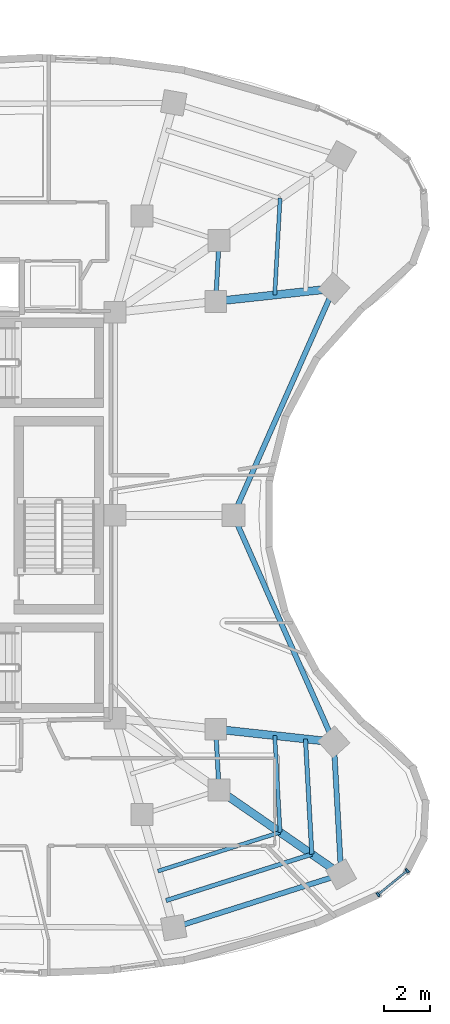
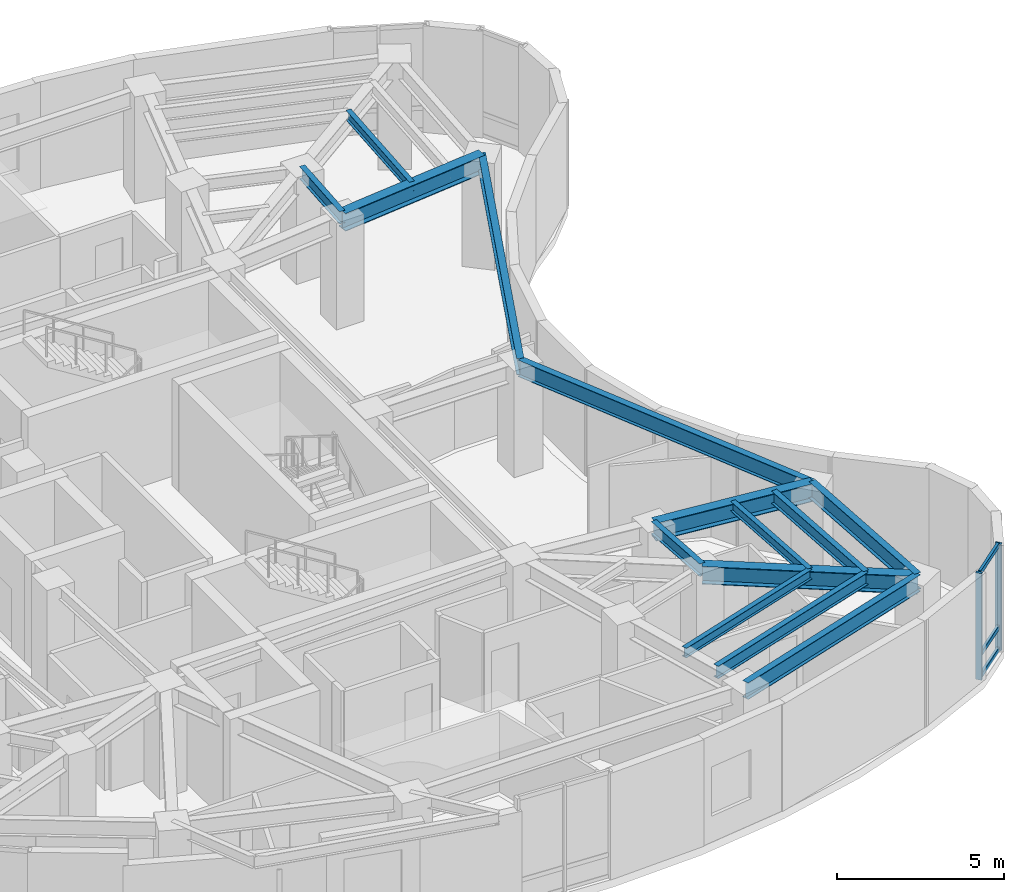
# One storey, part 4 of 13: 14 beams, 5 members, 1 element without a shape of its own.
"""IFC4 building model written with IfcOpenShell, lengths in metres."""

from ifc_helpers import new_model, si_unit, direction, frame, origin, origin_2d, place, context, subcontext, project, spatial, rectangle, i_section, extrude, material, layer, layer_set, material_profile, profile_set, type_object, element, aggregate, save


model = new_model("IFC4")

# Units and contexts
model_context = context("Model", 3, precision=1e-05, world=origin(), true_north=direction((0.0, 1.0)))
body_context = subcontext(model_context, "Body", "Model", "MODEL_VIEW")
ifc_project = project(units=[si_unit("LENGTHUNIT", "METRE"), si_unit("AREAUNIT", "SQUARE_METRE"), si_unit("VOLUMEUNIT", "CUBIC_METRE"), si_unit("PLANEANGLEUNIT", "RADIAN"), si_unit("MASSUNIT", "GRAM", prefix="KILO")], contexts=[model_context])

# Site, building, storey
site_placement = place(None, origin())
site = spatial("IfcSite", under=ifc_project, at=site_placement, CompositionType="ELEMENT")
building_placement = place(site_placement, origin())
building = spatial("IfcBuilding", under=site, at=building_placement, Name="Korentha Bioscience Tower", CompositionType="ELEMENT")
storey_placement = place(building_placement, frame((0.0, 0.0, 204.60009765625)))
storey = spatial("IfcBuildingStorey", under=building, at=storey_placement, Name="L47", CompositionType="ELEMENT", Elevation=204.60009765625)

# Beams
ifc_material_1 = material(Name="Steel S355", Category="steel")
ifc_material_profile_1 = material_profile(ifc_material_1, i_section(OverallWidth=0.18994140625, OverallDepth=0.45703125, WebThickness=0.009033203125, FlangeThickness=0.014404296875, at=origin_2d()), Name="Steel S355")
ifc_profile_set_1 = profile_set([ifc_material_profile_1], Name="Steel S355 (MB-460)")
beam_type_1 = type_object("IfcBeamType", Name="Mid-Ring Tie Girder W460x74", PredefinedType="BEAM", material=ifc_profile_set_1)
for number, where, z_axis, x_axis, name in (
    (1, (42.084228515625, 15.014404296875, 3.67138671875), (-0.055124579287, 0.998479484395, 0.0), (-0.998479484395, -0.055124579287, 0.0), "L47 Mid-Ring Tie Girder 13"),
    (2, (41.9375, 36.327880859375, 3.67138671875), (0.055124579287, 0.998479484395, 0.0), (-0.998479484395, 0.055124579287, 0.0), "L47 Mid-Ring Tie Girder 16"),
):
    element("IfcBeam", number, at=place(storey_placement, frame(where, z_axis=z_axis, x_axis=x_axis)), inside=storey, type_object=beam_type_1, Name=name, PredefinedType="BEAM", context=body_context, shape_type="SweptSolid", body=[
        extrude(i_section(OverallWidth=0.18994140625, OverallDepth=0.45703125, WebThickness=0.009033203125, FlangeThickness=0.014404296875, at=origin_2d()), origin(), (0.0, 0.0, 1.0), 2.661865234375),
    ])

# Curtain wall, members
ifc_material_2 = material(Name="Thermally Broken Aluminium Frame", Category="aluminium")
ifc_layer = layer(ifc_material_2, 0.219970703125, Name="Thermally Broken Aluminium Frame")
ifc_layer_set = layer_set([ifc_layer], Name="Thermally Broken Aluminium Frame (CW-T1)")
curtain_wall_type = type_object("IfcCurtainWallType", Name="Standard Bioscience Lab Unitised Curtain Wall CW-T1", PredefinedType="USERDEFINED", material=ifc_layer_set)
curtain_wall_placement = place(storey_placement, origin())
curtain_wall = element("IfcCurtainWall", 3, at=curtain_wall_placement, inside=storey, type_object=curtain_wall_type, Name="L47 Curtain Wall 37", ObjectType="UNITISED", PredefinedType="USERDEFINED")
ifc_material_3 = material(Name="Anodised Aluminium 6063-T6", Category="aluminium")
ifc_material_profile_2 = material_profile(ifc_material_3, rectangle(XDim=0.090087890625, YDim=0.199951171875, at=origin_2d()), Name="Anodised Aluminium 6063-T6")
ifc_profile_set_2 = profile_set([ifc_material_profile_2], Name="Anodised Aluminium 6063-T6 (CW-MUL)")
member_type_1 = type_object("IfcMemberType", Name="Mullion RECT 90x200", PredefinedType="MULLION", material=ifc_profile_set_2)
member_1_placement = place(storey_placement, frame((49.01806640625, 10.45751953125, 0.0), z_axis=(0.0, 0.0, 1.0), x_axis=(0.774088224596, 0.633077736571, 0.0)))
member_1 = element("IfcMember", 4, at=member_1_placement, type_object=member_type_1, Name="CW-L47-37 Mullion 1", PredefinedType="MULLION", context=body_context, shape_type="SweptSolid", body=[
    extrude(rectangle(XDim=0.090087890625, YDim=0.199951171875, at=origin_2d()), origin(), (0.0, 0.0, 1.0), 3.89990234375),
])
member_2_placement = place(storey_placement, frame((50.291748046875, 11.4990234375, 0.0), z_axis=(0.0, 0.0, 1.0), x_axis=(0.774088224596, 0.633077736571, 0.0)))
member_2 = element("IfcMember", 5, at=member_2_placement, type_object=member_type_1, Name="CW-L47-37 Mullion 2", PredefinedType="MULLION", context=body_context, shape_type="SweptSolid", body=[
    extrude(rectangle(XDim=0.090087890625, YDim=0.199951171875, at=origin_2d()), origin(), (0.0, 0.0, 1.0), 3.89990234375),
])

# Beams
ifc_material_profile_3 = material_profile(ifc_material_1, i_section(OverallWidth=0.22802734375, OverallDepth=0.60791015625, WebThickness=0.01123046875, FlangeThickness=0.017333984375, at=origin_2d()), Name="Steel S355")
ifc_profile_set_3 = profile_set([ifc_material_profile_3], Name="Steel S355 (SB-610)")
beam_type_2 = type_object("IfcBeamType", Name="Perimeter Ring Spandrel Girder W610x113", PredefinedType="SPANDREL", material=ifc_profile_set_3)
beam_1_placement = place(storey_placement, frame((40.106689453125, 9.012939453125, 3.595947265625), z_axis=(0.953001929023, 0.30296422772, 0.0), x_axis=(-0.30296422772, 0.953001929023, 0.0)))
element("IfcBeam", 6, at=beam_1_placement, inside=storey, type_object=beam_type_2, Name="L47 Perimeter Spandrel Girder 12", PredefinedType="SPANDREL", context=body_context, shape_type="SweptSolid", body=[
    extrude(i_section(OverallWidth=0.22802734375, OverallDepth=0.60791015625, WebThickness=0.01123046875, FlangeThickness=0.017333984375, at=origin_2d()), origin(), (0.0, 0.0, 1.0), 7.660400390625),
])
beam_2_placement = place(storey_placement, frame((47.406982421875, 11.333740234375, 3.595947265625), z_axis=(-0.055107780824, 0.998480411672, 0.0), x_axis=(-0.998480411672, -0.055107780824, 0.0)))
element("IfcBeam", 7, at=beam_2_placement, inside=storey, type_object=beam_type_2, Name="L47 Perimeter Spandrel Girder 13", PredefinedType="SPANDREL", context=body_context, shape_type="SweptSolid", body=[
    extrude(i_section(OverallWidth=0.22802734375, OverallDepth=0.60791015625, WebThickness=0.01123046875, FlangeThickness=0.017333984375, at=origin_2d()), origin(), (0.0, 0.0, 1.0), 5.785888671875),
])
for number, where, z_axis, x_axis, name in (
    (8, (47.088134765625, 17.11083984375, 3.595947265625), (-0.40490027623, 0.914360851256, 0.0), (-0.914360851256, -0.40490027623, 0.0), "L47 Perimeter Spandrel Girder 14"),
    (9, (42.708984375, 27.0, 3.595947265625), (0.40490027623, 0.914360851256, 0.0), (-0.914360851256, 0.40490027623, 0.0), "L47 Perimeter Spandrel Girder 15"),
):
    element("IfcBeam", number, at=place(storey_placement, frame(where, z_axis=z_axis, x_axis=x_axis)), inside=storey, type_object=beam_type_2, Name=name, PredefinedType="SPANDREL", context=body_context, shape_type="SweptSolid", body=[
        extrude(i_section(OverallWidth=0.22802734375, OverallDepth=0.60791015625, WebThickness=0.01123046875, FlangeThickness=0.017333984375, at=origin_2d()), origin(), (0.0, 0.0, 1.0), 10.8154296875),
    ])
ifc_material_profile_4 = material_profile(ifc_material_1, i_section(OverallWidth=0.18994140625, OverallDepth=0.45703125, WebThickness=0.009033203125, FlangeThickness=0.014404296875, at=origin_2d()), Name="Steel S355")
ifc_profile_set_4 = profile_set([ifc_material_profile_4], Name="Steel S355 (RB-460)")
beam_type_3 = type_object("IfcBeamType", Name="Radial Laboratory Beam W460x74", PredefinedType="BEAM", material=ifc_profile_set_4)
beam_3_placement = place(storey_placement, frame((39.775390625, 10.197265625, 3.67138671875), z_axis=(0.953010382505, 0.302937635229, 0.0), x_axis=(-0.302937635229, 0.953010382505, 0.0)))
element("IfcBeam", 10, at=beam_3_placement, inside=storey, type_object=beam_type_3, Name="L47 Secondary Floor Beam JSTO-12", PredefinedType="BEAM", context=body_context, shape_type="SweptSolid", body=[
    extrude(i_section(OverallWidth=0.18994140625, OverallDepth=0.45703125, WebThickness=0.009033203125, FlangeThickness=0.014404296875, at=origin_2d()), origin(), (0.0, 0.0, 1.0), 6.667236328125),
])
beam_4_placement = place(storey_placement, frame((46.12939453125, 12.217041015625, 3.67138671875), z_axis=(-0.055069967357, 0.998482497941, 0.0), x_axis=(-0.998482497941, -0.055069967357, 0.0)))
element("IfcBeam", 11, at=beam_4_placement, inside=storey, type_object=beam_type_3, Name="L47 Secondary Floor Beam JSTO-13", PredefinedType="BEAM", context=body_context, shape_type="SweptSolid", body=[
    extrude(i_section(OverallWidth=0.18994140625, OverallDepth=0.45703125, WebThickness=0.009033203125, FlangeThickness=0.014404296875, at=origin_2d()), origin(), (0.0, 0.0, 1.0), 5.0361328125),
])
ifc_material_profile_5 = material_profile(ifc_material_1, i_section(OverallWidth=0.35009765625, OverallDepth=0.64990234375, WebThickness=0.01611328125, FlangeThickness=0.02490234375, at=origin_2d()), Name="Steel S355")
ifc_profile_set_5 = profile_set([ifc_material_profile_5], Name="Steel S355 (RB-650)")
beam_type_4 = type_object("IfcBeamType", Name="Radial Laboratory Girder CVS 650x208", PredefinedType="BEAM", material=ifc_profile_set_5)
beam_5_placement = place(storey_placement, frame((42.084228515625, 15.014404296875, 3.574951171875), z_axis=(0.822504439948, -0.568758688958, 0.0), x_axis=(0.568758688958, 0.822504439948, 0.0)))
element("IfcBeam", 12, at=beam_5_placement, inside=storey, type_object=beam_type_4, Name="L47 Outer Radial Girder 13", PredefinedType="BEAM", context=body_context, shape_type="SweptSolid", body=[
    extrude(i_section(OverallWidth=0.35009765625, OverallDepth=0.64990234375, WebThickness=0.01611328125, FlangeThickness=0.02490234375, at=origin_2d()), origin(), (0.0, 0.0, 1.0), 6.471435546875),
])
for number, where, z_axis, x_axis, name in (
    (13, (41.9375, 17.672119140625, 3.574951171875), (0.994114823739, -0.108331515371, 0.0), (0.108331515371, 0.994114823739, 0.0), "L47 Outer Radial Girder 14"),
    (14, (41.9375, 36.327880859375, 3.574951171875), (0.994114823739, 0.108331515371, 0.0), (-0.108331515371, 0.994114823739, 0.0), "L47 Outer Radial Girder 16"),
):
    element("IfcBeam", number, at=place(storey_placement, frame(where, z_axis=z_axis, x_axis=x_axis)), inside=storey, type_object=beam_type_4, Name=name, PredefinedType="BEAM", context=body_context, shape_type="SweptSolid", body=[
        extrude(i_section(OverallWidth=0.35009765625, OverallDepth=0.64990234375, WebThickness=0.01611328125, FlangeThickness=0.02490234375, at=origin_2d()), origin(), (0.0, 0.0, 1.0), 5.18115234375),
    ])
ifc_material_profile_6 = material_profile(ifc_material_1, i_section(OverallWidth=0.1708984375, OverallDepth=0.35498046875, WebThickness=0.007080078125, FlangeThickness=0.01171875, at=origin_2d()), Name="Steel S355")
ifc_profile_set_6 = profile_set([ifc_material_profile_6], Name="Steel S355 (JB-360)")
beam_type_5 = type_object("IfcBeamType", Name="Secondary Laboratory Joist W360x51", PredefinedType="JOIST", material=ifc_profile_set_6)
beam_6_placement = place(storey_placement, frame((39.41650390625, 11.47998046875, 3.722412109375), z_axis=(0.953004875728, 0.302954958433, 0.0), x_axis=(-0.302954958433, 0.953004875728, 0.0)))
element("IfcBeam", 15, at=beam_6_placement, inside=storey, type_object=beam_type_5, Name="L47 Secondary Floor Beam JST-12", PredefinedType="JOIST", context=body_context, shape_type="SweptSolid", body=[
    extrude(i_section(OverallWidth=0.1708984375, OverallDepth=0.35498046875, WebThickness=0.007080078125, FlangeThickness=0.01171875, at=origin_2d()), origin(), (0.0, 0.0, 1.0), 5.591796875),
])
for number, where, z_axis, x_axis, name in (
    (16, (44.74560546875, 13.174072265625, 3.722412109375), (-0.05514347763, 0.998478440866, 0.0), (-0.998478440866, -0.05514347763, 0.0), "L47 Secondary Floor Beam JST-13"),
    (17, (44.5126953125, 36.608642578125, 3.722412109375), (0.05514347763, 0.998478440866, 0.0), (-0.998478440866, 0.05514347763, 0.0), "L47 Secondary Floor Beam JST-16"),
):
    element("IfcBeam", number, at=place(storey_placement, frame(where, z_axis=z_axis, x_axis=x_axis)), inside=storey, type_object=beam_type_5, Name=name, PredefinedType="JOIST", context=body_context, shape_type="SweptSolid", body=[
        extrude(i_section(OverallWidth=0.1708984375, OverallDepth=0.35498046875, WebThickness=0.007080078125, FlangeThickness=0.01171875, at=origin_2d()), origin(), (0.0, 0.0, 1.0), 4.2236328125),
    ])

# Member
ifc_material_profile_7 = material_profile(ifc_material_3, rectangle(XDim=0.090087890625, YDim=0.159912109375, at=origin_2d()), Name="Anodised Aluminium 6063-T6")
ifc_profile_set_7 = profile_set([ifc_material_profile_7], Name="Anodised Aluminium 6063-T6 (CW-TRN)")
member_type_2 = type_object("IfcMemberType", Name="Transom RECT 90x160", PredefinedType="USERDEFINED", material=ifc_profile_set_7)
member_3_placement = place(storey_placement, frame((49.052978515625, 10.48583984375, 0.044921875), z_axis=(0.77406919377, 0.633101005572, 0.0), x_axis=(-0.633101005572, 0.77406919377, 0.0)))
member_3 = element("IfcMember", 18, at=member_3_placement, type_object=member_type_2, Name="CW-L47-37 Bay 1 Transom 1", ObjectType="TRANSOM", PredefinedType="USERDEFINED", context=body_context, shape_type="SweptSolid", body=[
    extrude(rectangle(XDim=0.090087890625, YDim=0.159912109375, at=origin_2d()), origin(), (0.0, 0.0, 1.0), 1.55517578125),
])

member_4_placement = place(storey_placement, frame((49.052978515625, 10.48583984375, 0.849853515625), z_axis=(0.77406919377, 0.633101005572, 0.0), x_axis=(-0.633101005572, 0.77406919377, 0.0)))
member_4 = element("IfcMember", 19, at=member_4_placement, type_object=member_type_2, Name="CW-L47-37 Bay 1 Transom 2", ObjectType="TRANSOM", PredefinedType="USERDEFINED", context=body_context, shape_type="SweptSolid", body=[
    extrude(rectangle(XDim=0.090087890625, YDim=0.159912109375, at=origin_2d()), origin(), (0.0, 0.0, 1.0), 1.55517578125),
])

member_5_placement = place(storey_placement, frame((49.052978515625, 10.48583984375, 3.85498046875), z_axis=(0.77406919377, 0.633101005572, 0.0), x_axis=(-0.633101005572, 0.77406919377, 0.0)))
member_5 = element("IfcMember", 20, at=member_5_placement, type_object=member_type_2, Name="CW-L47-37 Bay 1 Transom 3", ObjectType="TRANSOM", PredefinedType="USERDEFINED", context=body_context, shape_type="SweptSolid", body=[
    extrude(rectangle(XDim=0.090087890625, YDim=0.159912109375, at=origin_2d()), origin(), (0.0, 0.0, 1.0), 1.55517578125),
])

aggregate(curtain_wall, [member_1, member_2, member_3, member_4, member_5])

save(model, "model.ifc")
